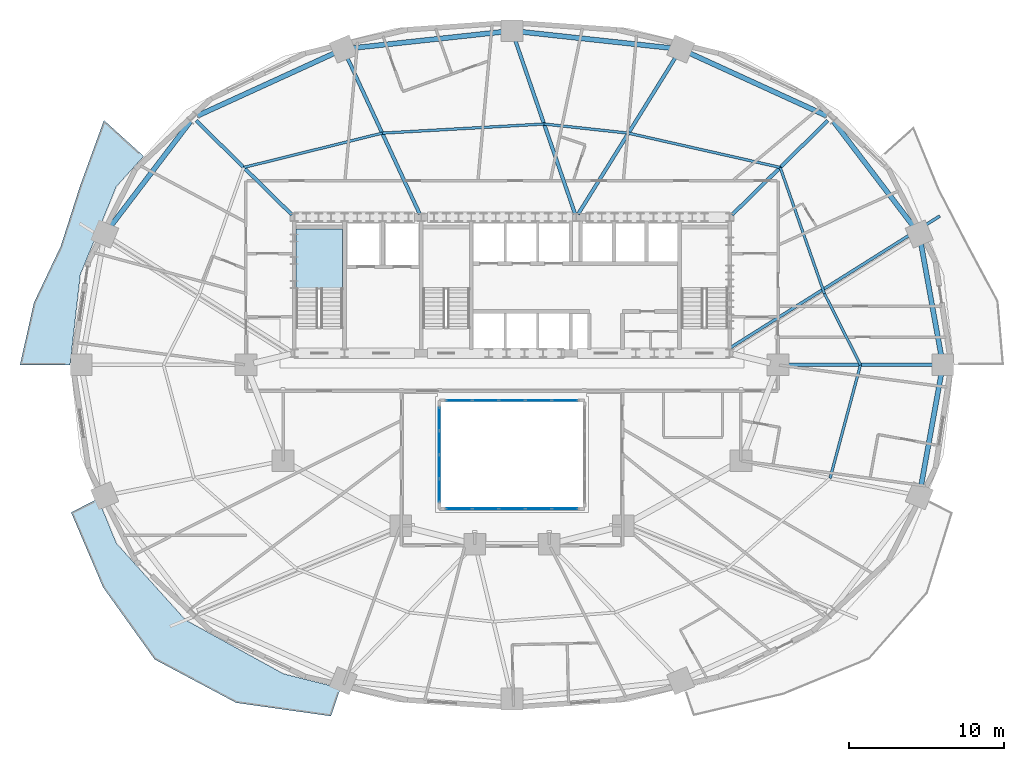
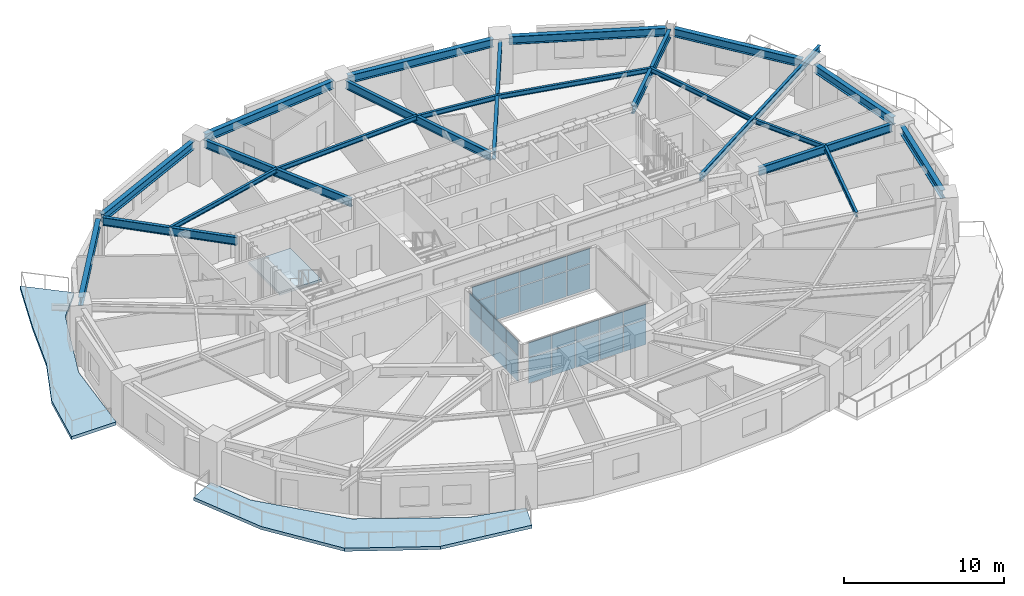
# One storey, part 6 of 15: 28 plates, 22 beams, 3 slabs, 4 elements without a shape of their own.
"""IFC4 building model written with IfcOpenShell, lengths in metres."""

from ifc_helpers import new_model, si_unit, direction, frame, origin, origin_2d, place, context, subcontext, project, spatial, polyline, rectangle, i_section, outline, extrude, material, layer, layer_set, material_profile, profile_set, type_object, element, aggregate, save


model = new_model("IFC4")

# Units and contexts
model_context = context("Model", 3, precision=1e-05, world=origin(), true_north=direction((0.0, 1.0)))
body_context = subcontext(model_context, "Body", "Model", "MODEL_VIEW")
ifc_project = project(units=[si_unit("LENGTHUNIT", "METRE"), si_unit("AREAUNIT", "SQUARE_METRE"), si_unit("VOLUMEUNIT", "CUBIC_METRE"), si_unit("PLANEANGLEUNIT", "RADIAN"), si_unit("MASSUNIT", "GRAM", prefix="KILO")], contexts=[model_context])

# Site, building, storey
site_placement = place(None, origin())
site = spatial("IfcSite", under=ifc_project, at=site_placement, CompositionType="ELEMENT")
building_placement = place(site_placement, origin())
building = spatial("IfcBuilding", under=site, at=building_placement, Name="Haldorwick Loom Tower", CompositionType="ELEMENT")
storey_placement = place(building_placement, frame((0.0, 0.0, 81.800048828125)))
storey = spatial("IfcBuildingStorey", under=building, at=storey_placement, Name="L21", CompositionType="ELEMENT", Elevation=81.800048828125)

# Beams
ifc_material_1 = material(Name="Steel CSA G40.21 350W", Category="steel")
ifc_material_profile_1 = material_profile(ifc_material_1, i_section(OverallWidth=0.193115234375, OverallDepth=0.466064453125, WebThickness=0.011474609375, FlangeThickness=0.01904296875, at=origin_2d()), Name="W460X97", Category="steel")
ifc_profile_set_1 = profile_set([ifc_material_profile_1], Name="Steel CSA G40.21 350W")
beam_type_1 = type_object("IfcBeamType", Name="STR-BM-BAL460", PredefinedType="BEAM", material=ifc_profile_set_1)
beam_1_placement = place(storey_placement, frame((50.111572265625, 27.106689453125, 2.97705078125), z_axis=(0.846609845451, 0.532214026108, 0.0), x_axis=(-0.532214026108, 0.846609845451, 0.0)))
element("IfcBeam", 1, at=beam_1_placement, inside=storey, type_object=beam_type_1, Name="L21 Continuous Back-Spanned Balcony Beam 4", PredefinedType="BEAM", context=body_context, shape_type="SweptSolid", body=[
    extrude(i_section(OverallWidth=0.193115234375, OverallDepth=0.466064453125, WebThickness=0.011474609375, FlangeThickness=0.01904296875, at=origin_2d()), origin(), (0.0, 0.0, 1.0), 16.0068359375),
])
ifc_material_profile_2 = material_profile(ifc_material_1, i_section(OverallWidth=0.172119140625, OverallDepth=0.35791015625, WebThickness=0.0078125, FlangeThickness=0.01318359375, at=origin_2d()), Name="W360X57", Category="steel")
ifc_profile_set_2 = profile_set([ifc_material_profile_2], Name="Steel CSA G40.21 350W")
beam_type_2 = type_object("IfcBeamType", Name="STR-BM-J360", PredefinedType="JOIST", material=ifc_profile_set_2)
beam_2_placement = place(storey_placement, frame((58.52880859375, 26.0, 3.031005859375), z_axis=(-0.451373231558, 0.892335254169, 0.0), x_axis=(-0.892335254169, -0.451373231558, 0.0)))
element("IfcBeam", 2, at=beam_2_placement, inside=storey, type_object=beam_type_2, Name="L21 Mid-Bay Secondary Joist 1", PredefinedType="JOIST", context=body_context, shape_type="SweptSolid", body=[
    extrude(i_section(OverallWidth=0.172119140625, OverallDepth=0.35791015625, WebThickness=0.0078125, FlangeThickness=0.01318359375, at=origin_2d()), origin(), (0.0, 0.0, 1.0), 5.158935546875),
])
beam_3_placement = place(storey_placement, frame((56.2001953125, 30.603515625, 3.031005859375), z_axis=(-0.330864603503, 0.943678236556, 0.0), x_axis=(-0.943678236556, -0.330864603503, 0.0)))
element("IfcBeam", 3, at=beam_3_placement, inside=storey, type_object=beam_type_2, Name="L21 Mid-Bay Secondary Joist 2", PredefinedType="JOIST", context=body_context, shape_type="SweptSolid", body=[
    extrude(i_section(OverallWidth=0.172119140625, OverallDepth=0.35791015625, WebThickness=0.0078125, FlangeThickness=0.01318359375, at=origin_2d()), origin(), (0.0, 0.0, 1.0), 8.6494140625),
])
beam_4_placement = place(storey_placement, frame((53.33837890625, 38.765869140625, 3.031005859375), z_axis=(-0.975380231772, 0.22052982444, 0.0), x_axis=(-0.22052982444, -0.975380231772, 0.0)))
element("IfcBeam", 4, at=beam_4_placement, inside=storey, type_object=beam_type_2, Name="L21 Mid-Bay Secondary Joist 3", PredefinedType="JOIST", context=body_context, shape_type="SweptSolid", body=[
    extrude(i_section(OverallWidth=0.172119140625, OverallDepth=0.35791015625, WebThickness=0.0078125, FlangeThickness=0.01318359375, at=origin_2d()), origin(), (0.0, 0.0, 1.0), 10.0576171875),
])
beam_5_placement = place(storey_placement, frame((43.5283203125, 40.98388671875, 3.031005859375), z_axis=(-0.994191869342, 0.107622148904, 0.0), x_axis=(-0.107622148904, -0.994191869342, 0.0)))
element("IfcBeam", 5, at=beam_5_placement, inside=storey, type_object=beam_type_2, Name="L21 Mid-Bay Secondary Joist 4", PredefinedType="JOIST", context=body_context, shape_type="SweptSolid", body=[
    extrude(i_section(OverallWidth=0.172119140625, OverallDepth=0.35791015625, WebThickness=0.0078125, FlangeThickness=0.01318359375, at=origin_2d()), origin(), (0.0, 0.0, 1.0), 5.485107421875),
])
beam_6_placement = place(storey_placement, frame((38.074951171875, 41.57421875, 3.031005859375), z_axis=(-0.998412171013, -0.056330602457, 0.0), x_axis=(0.056330602457, -0.998412171013, 0.0)))
element("IfcBeam", 6, at=beam_6_placement, inside=storey, type_object=beam_type_2, Name="L21 Mid-Bay Secondary Joist 5", PredefinedType="JOIST", context=body_context, shape_type="SweptSolid", body=[
    extrude(i_section(OverallWidth=0.172119140625, OverallDepth=0.35791015625, WebThickness=0.0078125, FlangeThickness=0.01318359375, at=origin_2d()), origin(), (0.0, 0.0, 1.0), 10.479736328125),
])
beam_7_placement = place(storey_placement, frame((27.61181640625, 40.98388671875, 3.031005859375), z_axis=(-0.970638838364, -0.240541567009, 0.0), x_axis=(0.240541567009, -0.970638838364, 0.0)))
element("IfcBeam", 7, at=beam_7_placement, inside=storey, type_object=beam_type_2, Name="L21 Mid-Bay Secondary Joist 6", PredefinedType="JOIST", context=body_context, shape_type="SweptSolid", body=[
    extrude(i_section(OverallWidth=0.172119140625, OverallDepth=0.35791015625, WebThickness=0.0078125, FlangeThickness=0.01318359375, at=origin_2d()), origin(), (0.0, 0.0, 1.0), 9.220947265625),
])
beam_8_placement = place(storey_placement, frame((56.565185546875, 18.67138671875, 3.031005859375), z_axis=(0.258810072536, 0.965928230436, 0.0), x_axis=(-0.965928230436, 0.258810072536, 0.0)))
element("IfcBeam", 8, at=beam_8_placement, inside=storey, type_object=beam_type_2, Name="L21 Mid-Bay Secondary Joist 16", PredefinedType="JOIST", context=body_context, shape_type="SweptSolid", body=[
    extrude(i_section(OverallWidth=0.172119140625, OverallDepth=0.35791015625, WebThickness=0.0078125, FlangeThickness=0.01318359375, at=origin_2d()), origin(), (0.0, 0.0, 1.0), 7.587158203125),
])
ifc_material_profile_3 = material_profile(ifc_material_1, i_section(OverallWidth=0.324951171875, OverallDepth=0.615966796875, WebThickness=0.013916015625, FlangeThickness=0.021484375, at=origin_2d()), Name="W610X174", Category="steel")
ifc_profile_set_3 = profile_set([ifc_material_profile_3], Name="Steel CSA G40.21 350W")
beam_type_3 = type_object("IfcBeamType", Name="STR-BM-SP610", PredefinedType="SPANDREL", material=ifc_profile_set_3)
beam_9_placement = place(storey_placement, frame((63.76513671875, 26.51171875, 2.90185546875), z_axis=(-0.177659490888, 0.984092020747, 0.0), x_axis=(-0.984092020747, -0.177659490888, 0.0)))
element("IfcBeam", 9, at=beam_9_placement, inside=storey, type_object=beam_type_3, Name="L21 Perimeter Spandrel 1", PredefinedType="SPANDREL", context=body_context, shape_type="SweptSolid", body=[
    extrude(i_section(OverallWidth=0.324951171875, OverallDepth=0.615966796875, WebThickness=0.013916015625, FlangeThickness=0.021484375, at=origin_2d()), origin(), (0.0, 0.0, 1.0), 7.553955078125),
])
beam_10_placement = place(storey_placement, frame((62.015869140625, 34.87109375, 2.90185546875), z_axis=(-0.605453508047, 0.795880675475, 0.0), x_axis=(-0.795880675475, -0.605453508047, 0.0)))
element("IfcBeam", 10, at=beam_10_placement, inside=storey, type_object=beam_type_3, Name="L21 Perimeter Spandrel 2", PredefinedType="SPANDREL", context=body_context, shape_type="SweptSolid", body=[
    extrude(i_section(OverallWidth=0.324951171875, OverallDepth=0.615966796875, WebThickness=0.013916015625, FlangeThickness=0.021484375, at=origin_2d()), origin(), (0.0, 0.0, 1.0), 8.6591796875),
])
beam_11_placement = place(storey_placement, frame((56.356689453125, 42.09619140625, 2.90185546875), z_axis=(-0.909423969306, 0.415870225011, 0.0), x_axis=(-0.415870225011, -0.909423969306, 0.0)))
element("IfcBeam", 11, at=beam_11_placement, inside=storey, type_object=beam_type_3, Name="L21 Perimeter Spandrel 3", PredefinedType="SPANDREL", context=body_context, shape_type="SweptSolid", body=[
    extrude(i_section(OverallWidth=0.324951171875, OverallDepth=0.615966796875, WebThickness=0.013916015625, FlangeThickness=0.021484375, at=origin_2d()), origin(), (0.0, 0.0, 1.0), 9.871337890625),
])
for number, where, z_axis, x_axis, name in (
    (12, (46.389404296875, 46.4736328125, 2.90185546875), (-0.994190135627, 0.107638163409, 0.0), (-0.107638163409, -0.994190135627, 0.0), "L21 Perimeter Spandrel 4"),
    (13, (35.48291015625, 47.54248046875, 2.90185546875), (-0.994190135627, -0.107638163409, 0.0), (0.107638163409, -0.994190135627, 0.0), "L21 Perimeter Spandrel 5"),
):
    element("IfcBeam", number, at=place(storey_placement, frame(where, z_axis=z_axis, x_axis=x_axis)), inside=storey, type_object=beam_type_3, Name=name, PredefinedType="SPANDREL", context=body_context, shape_type="SweptSolid", body=[
        extrude(i_section(OverallWidth=0.324951171875, OverallDepth=0.615966796875, WebThickness=0.013916015625, FlangeThickness=0.021484375, at=origin_2d()), origin(), (0.0, 0.0, 1.0), 9.929931640625),
    ])
beam_12_placement = place(storey_placement, frame((24.62060546875, 46.201416015625, 2.90185546875), z_axis=(-0.909423969306, -0.415870225011, 0.0), x_axis=(0.415870225011, -0.909423969306, 0.0)))
element("IfcBeam", 14, at=beam_12_placement, inside=storey, type_object=beam_type_3, Name="L21 Perimeter Spandrel 6", PredefinedType="SPANDREL", context=body_context, shape_type="SweptSolid", body=[
    extrude(i_section(OverallWidth=0.324951171875, OverallDepth=0.615966796875, WebThickness=0.013916015625, FlangeThickness=0.021484375, at=origin_2d()), origin(), (0.0, 0.0, 1.0), 9.871337890625),
])
beam_13_placement = place(storey_placement, frame((15.226806640625, 41.7626953125, 2.90185546875), z_axis=(-0.605453508047, -0.795880675475, 0.0), x_axis=(0.795880675475, -0.605453508047, 0.0)))
element("IfcBeam", 15, at=beam_13_placement, inside=storey, type_object=beam_type_3, Name="L21 Perimeter Spandrel 7", PredefinedType="SPANDREL", context=body_context, shape_type="SweptSolid", body=[
    extrude(i_section(OverallWidth=0.324951171875, OverallDepth=0.615966796875, WebThickness=0.013916015625, FlangeThickness=0.021484375, at=origin_2d()), origin(), (0.0, 0.0, 1.0), 8.6591796875),
])
beam_14_placement = place(storey_placement, frame((62.423095703125, 18.054443359375, 2.90185546875), z_axis=(0.177659490888, 0.984092020747, 0.0), x_axis=(-0.984092020747, 0.177659490888, 0.0)))
element("IfcBeam", 16, at=beam_14_placement, inside=storey, type_object=beam_type_3, Name="L21 Perimeter Spandrel 16", PredefinedType="SPANDREL", context=body_context, shape_type="SweptSolid", body=[
    extrude(i_section(OverallWidth=0.324951171875, OverallDepth=0.615966796875, WebThickness=0.013916015625, FlangeThickness=0.021484375, at=origin_2d()), origin(), (0.0, 0.0, 1.0), 7.553955078125),
])
ifc_material_profile_4 = material_profile(ifc_material_1, i_section(OverallWidth=0.22998046875, OverallDepth=0.616943359375, WebThickness=0.01318359375, FlangeThickness=0.022216796875, at=origin_2d()), Name="W610X140", Category="steel")
ifc_profile_set_4 = profile_set([ifc_material_profile_4], Name="Steel CSA G40.21 350W")
beam_type_4 = type_object("IfcBeamType", Name="STR-BM-W610B", PredefinedType="BEAM", material=ifc_profile_set_4)
beam_15_placement = place(storey_placement, frame((53.719970703125, 26.0, 2.9013671875), z_axis=(1.0, 0.0, 0.0), x_axis=(0.0, 1.0, 0.0)))
element("IfcBeam", 17, at=beam_15_placement, inside=storey, type_object=beam_type_4, Name="L21 Radial Floor Girder 1", PredefinedType="BEAM", context=body_context, shape_type="SweptSolid", body=[
    extrude(i_section(OverallWidth=0.22998046875, OverallDepth=0.616943359375, WebThickness=0.01318359375, FlangeThickness=0.022216796875, at=origin_2d()), origin(), (0.0, 0.0, 1.0), 9.61767578125),
])
beam_16_placement = place(storey_placement, frame((50.23046875, 35.707763671875, 2.9013671875), z_axis=(0.712813667541, 0.701353459653, 0.0), x_axis=(-0.701353459653, 0.712813667541, 0.0)))
element("IfcBeam", 18, at=beam_16_placement, inside=storey, type_object=beam_type_4, Name="L21 Radial Floor Girder 3", PredefinedType="BEAM", context=body_context, shape_type="SweptSolid", body=[
    extrude(i_section(OverallWidth=0.22998046875, OverallDepth=0.616943359375, WebThickness=0.01318359375, FlangeThickness=0.022216796875, at=origin_2d()), origin(), (0.0, 0.0, 1.0), 8.67041015625),
])
beam_17_placement = place(storey_placement, frame((40.268798828125, 35.7412109375, 2.9013671875), z_axis=(0.527983484361, 0.849254638046, 0.0), x_axis=(-0.849254638046, 0.527983484361, 0.0)))
element("IfcBeam", 19, at=beam_17_placement, inside=storey, type_object=beam_type_4, Name="L21 Radial Floor Girder 4", PredefinedType="BEAM", context=body_context, shape_type="SweptSolid", body=[
    extrude(i_section(OverallWidth=0.22998046875, OverallDepth=0.616943359375, WebThickness=0.01318359375, FlangeThickness=0.022216796875, at=origin_2d()), origin(), (0.0, 0.0, 1.0), 12.051513671875),
])
beam_18_placement = place(storey_placement, frame((40.07666015625, 35.7626953125, 2.9013671875), z_axis=(-0.325673980289, 0.945482130218, 0.0), x_axis=(-0.945482130218, -0.325673980289, 0.0)))
element("IfcBeam", 20, at=beam_18_placement, inside=storey, type_object=beam_type_4, Name="L21 Radial Floor Girder 5", PredefinedType="BEAM", context=body_context, shape_type="SweptSolid", body=[
    extrude(i_section(OverallWidth=0.22998046875, OverallDepth=0.616943359375, WebThickness=0.01318359375, FlangeThickness=0.022216796875, at=origin_2d()), origin(), (0.0, 0.0, 1.0), 11.998046875),
])
beam_19_placement = place(storey_placement, frame((30.035400390625, 35.754150390625, 2.9013671875), z_axis=(-0.420492432459, 0.907296045536, 0.0), x_axis=(-0.907296045536, -0.420492432459, 0.0)))
element("IfcBeam", 21, at=beam_19_placement, inside=storey, type_object=beam_type_4, Name="L21 Radial Floor Girder 6", PredefinedType="BEAM", context=body_context, shape_type="SweptSolid", body=[
    extrude(i_section(OverallWidth=0.22998046875, OverallDepth=0.616943359375, WebThickness=0.01318359375, FlangeThickness=0.022216796875, at=origin_2d()), origin(), (0.0, 0.0, 1.0), 11.23291015625),
])
beam_20_placement = place(storey_placement, frame((21.76953125, 35.707763671875, 2.9013671875), z_axis=(-0.712813667541, 0.701353459653, 0.0), x_axis=(-0.701353459653, -0.712813667541, 0.0)))
element("IfcBeam", 22, at=beam_20_placement, inside=storey, type_object=beam_type_4, Name="L21 Radial Floor Girder 7", PredefinedType="BEAM", context=body_context, shape_type="SweptSolid", body=[
    extrude(i_section(OverallWidth=0.22998046875, OverallDepth=0.616943359375, WebThickness=0.01318359375, FlangeThickness=0.022216796875, at=origin_2d()), origin(), (0.0, 0.0, 1.0), 8.67041015625),
])

# Curtain wall, plates
ifc_material_2 = material(Name="Thermally Broken Anodized Aluminium Curtain Wall Framing", Category="aluminium")
curtain_wall_type = type_object("IfcCurtainWallType", Name="ARC-CW-03", PredefinedType="NOTDEFINED", material=ifc_material_2)
curtain_wall_1_placement = place(storey_placement, origin())
curtain_wall_1 = element("IfcCurtainWall", 23, at=curtain_wall_1_placement, inside=storey, type_object=curtain_wall_type, Name="L21 Atrium Glazed Screen S", PredefinedType="NOTDEFINED")
ifc_material_3 = material(Name="Triple-Glazed Low-E Argon Insulated Glazing Unit", Category="glass")
ifc_layer_1 = layer(ifc_material_3, 0.04296875, Name="Triple-Glazed Low-E Argon Insulated Glazing Unit", Category="glass")
ifc_layer_set_1 = layer_set([ifc_layer_1], Name="Triple-Glazed Low-E Argon Insulated Glazing Unit")
plate_type = type_object("IfcPlateType", Name="ARC-CWP-03", PredefinedType="CURTAIN_PANEL", material=ifc_layer_set_1)
plate_1_placement = place(storey_placement, frame((39.423583984375, 16.699951171875, 0.06591796875), z_axis=(0.0, 0.0, 1.0), x_axis=(-1.0, 0.0, 0.0)))
plate_1 = element("IfcPlate", 24, at=plate_1_placement, type_object=plate_type, Name="CW-03 panel 1.1", PredefinedType="CURTAIN_PANEL", context=body_context, shape_type="SweptSolid", body=[
    extrude(rectangle(XDim=1.62109375, YDim=0.04296875, at=origin_2d()), origin(), (0.0, 0.0, 1.0), 1.90087890625),
])
plate_2_placement = place(storey_placement, frame((39.423583984375, 16.699951171875, 2.03271484375), z_axis=(0.0, 0.0, 1.0), x_axis=(-1.0, 0.0, 0.0)))
plate_2 = element("IfcPlate", 25, at=plate_2_placement, type_object=plate_type, Name="CW-03 panel 1.2", PredefinedType="CURTAIN_PANEL", context=body_context, shape_type="SweptSolid", body=[
    extrude(rectangle(XDim=1.62109375, YDim=0.04296875, at=origin_2d()), origin(), (0.0, 0.0, 1.0), 1.111083984375),
])
plate_3_placement = place(storey_placement, frame((37.719970703125, 16.699951171875, 0.06591796875), z_axis=(0.0, 0.0, 1.0), x_axis=(-1.0, 0.0, 0.0)))
plate_3 = element("IfcPlate", 26, at=plate_3_placement, type_object=plate_type, Name="CW-03 panel 2.1", PredefinedType="CURTAIN_PANEL", context=body_context, shape_type="SweptSolid", body=[
    extrude(rectangle(XDim=1.654052734375, YDim=0.04296875, at=origin_2d()), origin(), (0.0, 0.0, 1.0), 1.90087890625),
])
plate_4_placement = place(storey_placement, frame((37.719970703125, 16.699951171875, 2.03271484375), z_axis=(0.0, 0.0, 1.0), x_axis=(-1.0, 0.0, 0.0)))
plate_4 = element("IfcPlate", 27, at=plate_4_placement, type_object=plate_type, Name="CW-03 panel 2.2", PredefinedType="CURTAIN_PANEL", context=body_context, shape_type="SweptSolid", body=[
    extrude(rectangle(XDim=1.654052734375, YDim=0.04296875, at=origin_2d()), origin(), (0.0, 0.0, 1.0), 1.111083984375),
])
plate_5_placement = place(storey_placement, frame((36.0, 16.699951171875, 0.06591796875), z_axis=(0.0, 0.0, 1.0), x_axis=(-1.0, 0.0, 0.0)))
plate_5 = element("IfcPlate", 28, at=plate_5_placement, type_object=plate_type, Name="CW-03 panel 3.1", PredefinedType="CURTAIN_PANEL", context=body_context, shape_type="SweptSolid", body=[
    extrude(rectangle(XDim=1.654052734375, YDim=0.04296875, at=origin_2d()), origin(), (0.0, 0.0, 1.0), 1.90087890625),
])
plate_6_placement = place(storey_placement, frame((36.0, 16.699951171875, 2.03271484375), z_axis=(0.0, 0.0, 1.0), x_axis=(-1.0, 0.0, 0.0)))
plate_6 = element("IfcPlate", 29, at=plate_6_placement, type_object=plate_type, Name="CW-03 panel 3.2", PredefinedType="CURTAIN_PANEL", context=body_context, shape_type="SweptSolid", body=[
    extrude(rectangle(XDim=1.654052734375, YDim=0.04296875, at=origin_2d()), origin(), (0.0, 0.0, 1.0), 1.111083984375),
])
plate_7_placement = place(storey_placement, frame((34.280029296875, 16.699951171875, 0.06591796875), z_axis=(0.0, 0.0, 1.0), x_axis=(-1.0, 0.0, 0.0)))
plate_7 = element("IfcPlate", 30, at=plate_7_placement, type_object=plate_type, Name="CW-03 panel 4.1", PredefinedType="CURTAIN_PANEL", context=body_context, shape_type="SweptSolid", body=[
    extrude(rectangle(XDim=1.654052734375, YDim=0.04296875, at=origin_2d()), origin(), (0.0, 0.0, 1.0), 1.90087890625),
])
plate_8_placement = place(storey_placement, frame((34.280029296875, 16.699951171875, 2.03271484375), z_axis=(0.0, 0.0, 1.0), x_axis=(-1.0, 0.0, 0.0)))
plate_8 = element("IfcPlate", 31, at=plate_8_placement, type_object=plate_type, Name="CW-03 panel 4.2", PredefinedType="CURTAIN_PANEL", context=body_context, shape_type="SweptSolid", body=[
    extrude(rectangle(XDim=1.654052734375, YDim=0.04296875, at=origin_2d()), origin(), (0.0, 0.0, 1.0), 1.111083984375),
])
plate_9_placement = place(storey_placement, frame((32.576416015625, 16.699951171875, 0.06591796875), z_axis=(0.0, 0.0, 1.0), x_axis=(-1.0, 0.0, 0.0)))
plate_9 = element("IfcPlate", 32, at=plate_9_placement, type_object=plate_type, Name="CW-03 panel 5.1", PredefinedType="CURTAIN_PANEL", context=body_context, shape_type="SweptSolid", body=[
    extrude(rectangle(XDim=1.62109375, YDim=0.04296875, at=origin_2d()), origin(), (0.0, 0.0, 1.0), 1.90087890625),
])
plate_10_placement = place(storey_placement, frame((32.576416015625, 16.699951171875, 2.03271484375), z_axis=(0.0, 0.0, 1.0), x_axis=(-1.0, 0.0, 0.0)))
plate_10 = element("IfcPlate", 33, at=plate_10_placement, type_object=plate_type, Name="CW-03 panel 5.2", PredefinedType="CURTAIN_PANEL", context=body_context, shape_type="SweptSolid", body=[
    extrude(rectangle(XDim=1.62109375, YDim=0.04296875, at=origin_2d()), origin(), (0.0, 0.0, 1.0), 1.111083984375),
])
aggregate(curtain_wall_1, [plate_1, plate_2, plate_3, plate_4, plate_5, plate_6, plate_7, plate_8, plate_9, plate_10])

curtain_wall_2_placement = place(storey_placement, origin())
curtain_wall_2 = element("IfcCurtainWall", 34, at=curtain_wall_2_placement, inside=storey, type_object=curtain_wall_type, Name="L21 Atrium Glazed Screen N", PredefinedType="NOTDEFINED")
plate_11_placement = place(storey_placement, frame((32.576416015625, 23.699951171875, 0.06591796875), z_axis=(0.0, 0.0, 1.0), x_axis=(1.0, 0.0, 0.0)))
plate_11 = element("IfcPlate", 35, at=plate_11_placement, type_object=plate_type, Name="CW-03 panel 1.1", PredefinedType="CURTAIN_PANEL", context=body_context, shape_type="SweptSolid", body=[
    extrude(rectangle(XDim=1.62109375, YDim=0.04296875, at=origin_2d()), origin(), (0.0, 0.0, 1.0), 1.90087890625),
])
plate_12_placement = place(storey_placement, frame((32.576416015625, 23.699951171875, 2.03271484375), z_axis=(0.0, 0.0, 1.0), x_axis=(1.0, 0.0, 0.0)))
plate_12 = element("IfcPlate", 36, at=plate_12_placement, type_object=plate_type, Name="CW-03 panel 1.2", PredefinedType="CURTAIN_PANEL", context=body_context, shape_type="SweptSolid", body=[
    extrude(rectangle(XDim=1.62109375, YDim=0.04296875, at=origin_2d()), origin(), (0.0, 0.0, 1.0), 1.111083984375),
])
plate_13_placement = place(storey_placement, frame((34.280029296875, 23.699951171875, 0.06591796875), z_axis=(0.0, 0.0, 1.0), x_axis=(1.0, 0.0, 0.0)))
plate_13 = element("IfcPlate", 37, at=plate_13_placement, type_object=plate_type, Name="CW-03 panel 2.1", PredefinedType="CURTAIN_PANEL", context=body_context, shape_type="SweptSolid", body=[
    extrude(rectangle(XDim=1.654052734375, YDim=0.04296875, at=origin_2d()), origin(), (0.0, 0.0, 1.0), 1.90087890625),
])
plate_14_placement = place(storey_placement, frame((34.280029296875, 23.699951171875, 2.03271484375), z_axis=(0.0, 0.0, 1.0), x_axis=(1.0, 0.0, 0.0)))
plate_14 = element("IfcPlate", 38, at=plate_14_placement, type_object=plate_type, Name="CW-03 panel 2.2", PredefinedType="CURTAIN_PANEL", context=body_context, shape_type="SweptSolid", body=[
    extrude(rectangle(XDim=1.654052734375, YDim=0.04296875, at=origin_2d()), origin(), (0.0, 0.0, 1.0), 1.111083984375),
])
plate_15_placement = place(storey_placement, frame((36.0, 23.699951171875, 0.06591796875), z_axis=(0.0, 0.0, 1.0), x_axis=(1.0, 0.0, 0.0)))
plate_15 = element("IfcPlate", 39, at=plate_15_placement, type_object=plate_type, Name="CW-03 panel 3.1", PredefinedType="CURTAIN_PANEL", context=body_context, shape_type="SweptSolid", body=[
    extrude(rectangle(XDim=1.654052734375, YDim=0.04296875, at=origin_2d()), origin(), (0.0, 0.0, 1.0), 1.90087890625),
])
plate_16_placement = place(storey_placement, frame((36.0, 23.699951171875, 2.03271484375), z_axis=(0.0, 0.0, 1.0), x_axis=(1.0, 0.0, 0.0)))
plate_16 = element("IfcPlate", 40, at=plate_16_placement, type_object=plate_type, Name="CW-03 panel 3.2", PredefinedType="CURTAIN_PANEL", context=body_context, shape_type="SweptSolid", body=[
    extrude(rectangle(XDim=1.654052734375, YDim=0.04296875, at=origin_2d()), origin(), (0.0, 0.0, 1.0), 1.111083984375),
])
plate_17_placement = place(storey_placement, frame((37.719970703125, 23.699951171875, 0.06591796875), z_axis=(0.0, 0.0, 1.0), x_axis=(1.0, 0.0, 0.0)))
plate_17 = element("IfcPlate", 41, at=plate_17_placement, type_object=plate_type, Name="CW-03 panel 4.1", PredefinedType="CURTAIN_PANEL", context=body_context, shape_type="SweptSolid", body=[
    extrude(rectangle(XDim=1.654052734375, YDim=0.04296875, at=origin_2d()), origin(), (0.0, 0.0, 1.0), 1.90087890625),
])
plate_18_placement = place(storey_placement, frame((37.719970703125, 23.699951171875, 2.03271484375), z_axis=(0.0, 0.0, 1.0), x_axis=(1.0, 0.0, 0.0)))
plate_18 = element("IfcPlate", 42, at=plate_18_placement, type_object=plate_type, Name="CW-03 panel 4.2", PredefinedType="CURTAIN_PANEL", context=body_context, shape_type="SweptSolid", body=[
    extrude(rectangle(XDim=1.654052734375, YDim=0.04296875, at=origin_2d()), origin(), (0.0, 0.0, 1.0), 1.111083984375),
])
plate_19_placement = place(storey_placement, frame((39.423583984375, 23.699951171875, 0.06591796875), z_axis=(0.0, 0.0, 1.0), x_axis=(1.0, 0.0, 0.0)))
plate_19 = element("IfcPlate", 43, at=plate_19_placement, type_object=plate_type, Name="CW-03 panel 5.1", PredefinedType="CURTAIN_PANEL", context=body_context, shape_type="SweptSolid", body=[
    extrude(rectangle(XDim=1.62109375, YDim=0.04296875, at=origin_2d()), origin(), (0.0, 0.0, 1.0), 1.90087890625),
])
plate_20_placement = place(storey_placement, frame((39.423583984375, 23.699951171875, 2.03271484375), z_axis=(0.0, 0.0, 1.0), x_axis=(1.0, 0.0, 0.0)))
plate_20 = element("IfcPlate", 44, at=plate_20_placement, type_object=plate_type, Name="CW-03 panel 5.2", PredefinedType="CURTAIN_PANEL", context=body_context, shape_type="SweptSolid", body=[
    extrude(rectangle(XDim=1.62109375, YDim=0.04296875, at=origin_2d()), origin(), (0.0, 0.0, 1.0), 1.111083984375),
])
aggregate(curtain_wall_2, [plate_11, plate_12, plate_13, plate_14, plate_15, plate_16, plate_17, plate_18, plate_19, plate_20])

curtain_wall_3_placement = place(storey_placement, origin())
curtain_wall_3 = element("IfcCurtainWall", 45, at=curtain_wall_3_placement, inside=storey, type_object=curtain_wall_type, Name="L21 Atrium Glazed Screen W", PredefinedType="NOTDEFINED")
plate_21_placement = place(storey_placement, frame((31.300048828125, 17.8916015625, 0.06591796875), z_axis=(0.0, 0.0, 1.0), x_axis=(0.0, 1.0, 0.0)))
plate_21 = element("IfcPlate", 46, at=plate_21_placement, type_object=plate_type, Name="CW-03 panel 1.1", PredefinedType="CURTAIN_PANEL", context=body_context, shape_type="SweptSolid", body=[
    extrude(rectangle(XDim=1.450927734375, YDim=0.04296875, at=origin_2d()), origin(), (0.0, 0.0, 1.0), 1.90087890625),
])
plate_22_placement = place(storey_placement, frame((31.300048828125, 17.8916015625, 2.03271484375), z_axis=(0.0, 0.0, 1.0), x_axis=(0.0, 1.0, 0.0)))
plate_22 = element("IfcPlate", 47, at=plate_22_placement, type_object=plate_type, Name="CW-03 panel 1.2", PredefinedType="CURTAIN_PANEL", context=body_context, shape_type="SweptSolid", body=[
    extrude(rectangle(XDim=1.450927734375, YDim=0.04296875, at=origin_2d()), origin(), (0.0, 0.0, 1.0), 1.111083984375),
])
plate_23_placement = place(storey_placement, frame((31.300048828125, 19.425048828125, 0.06591796875), z_axis=(0.0, 0.0, 1.0), x_axis=(0.0, 1.0, 0.0)))
plate_23 = element("IfcPlate", 48, at=plate_23_placement, type_object=plate_type, Name="CW-03 panel 2.1", PredefinedType="CURTAIN_PANEL", context=body_context, shape_type="SweptSolid", body=[
    extrude(rectangle(XDim=1.48388671875, YDim=0.04296875, at=origin_2d()), origin(), (0.0, 0.0, 1.0), 1.90087890625),
])
plate_24_placement = place(storey_placement, frame((31.300048828125, 19.425048828125, 2.03271484375), z_axis=(0.0, 0.0, 1.0), x_axis=(0.0, 1.0, 0.0)))
plate_24 = element("IfcPlate", 49, at=plate_24_placement, type_object=plate_type, Name="CW-03 panel 2.2", PredefinedType="CURTAIN_PANEL", context=body_context, shape_type="SweptSolid", body=[
    extrude(rectangle(XDim=1.48388671875, YDim=0.04296875, at=origin_2d()), origin(), (0.0, 0.0, 1.0), 1.111083984375),
])
plate_25_placement = place(storey_placement, frame((31.300048828125, 20.97509765625, 0.06591796875), z_axis=(0.0, 0.0, 1.0), x_axis=(0.0, 1.0, 0.0)))
plate_25 = element("IfcPlate", 50, at=plate_25_placement, type_object=plate_type, Name="CW-03 panel 3.1", PredefinedType="CURTAIN_PANEL", context=body_context, shape_type="SweptSolid", body=[
    extrude(rectangle(XDim=1.48388671875, YDim=0.04296875, at=origin_2d()), origin(), (0.0, 0.0, 1.0), 1.90087890625),
])
plate_26_placement = place(storey_placement, frame((31.300048828125, 20.97509765625, 2.03271484375), z_axis=(0.0, 0.0, 1.0), x_axis=(0.0, 1.0, 0.0)))
plate_26 = element("IfcPlate", 51, at=plate_26_placement, type_object=plate_type, Name="CW-03 panel 3.2", PredefinedType="CURTAIN_PANEL", context=body_context, shape_type="SweptSolid", body=[
    extrude(rectangle(XDim=1.48388671875, YDim=0.04296875, at=origin_2d()), origin(), (0.0, 0.0, 1.0), 1.111083984375),
])
plate_27_placement = place(storey_placement, frame((31.300048828125, 22.508544921875, 0.06591796875), z_axis=(0.0, 0.0, 1.0), x_axis=(0.0, 1.0, 0.0)))
plate_27 = element("IfcPlate", 52, at=plate_27_placement, type_object=plate_type, Name="CW-03 panel 4.1", PredefinedType="CURTAIN_PANEL", context=body_context, shape_type="SweptSolid", body=[
    extrude(rectangle(XDim=1.450927734375, YDim=0.04296875, at=origin_2d()), origin(), (0.0, 0.0, 1.0), 1.90087890625),
])
plate_28_placement = place(storey_placement, frame((31.300048828125, 22.508544921875, 2.03271484375), z_axis=(0.0, 0.0, 1.0), x_axis=(0.0, 1.0, 0.0)))
plate_28 = element("IfcPlate", 53, at=plate_28_placement, type_object=plate_type, Name="CW-03 panel 4.2", PredefinedType="CURTAIN_PANEL", context=body_context, shape_type="SweptSolid", body=[
    extrude(rectangle(XDim=1.450927734375, YDim=0.04296875, at=origin_2d()), origin(), (0.0, 0.0, 1.0), 1.111083984375),
])
aggregate(curtain_wall_3, [plate_21, plate_22, plate_23, plate_24, plate_25, plate_26, plate_27, plate_28])

# Slabs
ifc_material_4 = material(Name="Concrete C40 (40 MPa)", Category="concrete")
ifc_layer_2 = layer(ifc_material_4, 0.239990234375, Name="Concrete C40 (40 MPa)", Category="concrete")
ifc_layer_set_2 = layer_set([ifc_layer_2], Name="Concrete C40 (40 MPa)")
slab_type_1 = type_object("IfcSlabType", Name="STR-SLB-BAL240", PredefinedType="FLOOR", material=ifc_layer_set_2)
slab_1_placement = place(storey_placement, frame((0.0, 0.0, -0.239990234375)))
element("IfcSlab", 54, at=slab_1_placement, inside=storey, type_object=slab_type_1, Name="L21 Sinusoidal Balcony Terrace BAL_SW", PredefinedType="FLOOR", context=body_context, shape_type="SweptSolid", body=[
    extrude(outline(polyline([(24.912109375, 5.10546875), (21.23583984375, 6.022705078125), (21.234619140625, 6.023193359375), (21.2333984375, 6.023681640625), (21.232177734375, 6.0244140625), (14.89111328125, 9.51025390625), (14.8896484375, 9.510986328125), (14.88818359375, 9.51220703125), (14.88720703125, 9.51318359375), (10.4228515625, 14.464599609375), (10.421875, 14.465576171875), (10.421142578125, 14.466552734375), (10.420654296875, 14.4677734375), (10.419921875, 14.468994140625), (9.240966796875, 17.349609375), (7.49755859375, 16.4658203125), (9.568115234375, 11.616943359375), (12.898193359375, 6.961669921875), (18.172607421875, 4.155517578125), (24.294189453125, 3.292724609375), (24.912109375, 5.10546875)])), origin(), (0.0, 0.0, 1.0), 0.239990234375),
])
slab_2_placement = place(storey_placement, frame((0.0, 0.0, -0.239990234375)))
element("IfcSlab", 55, at=slab_2_placement, inside=storey, type_object=slab_type_1, Name="L21 Sinusoidal Balcony Terrace BAL_WNW", PredefinedType="FLOOR", context=body_context, shape_type="SweptSolid", body=[
    extrude(outline(polyline([(7.427490234375, 26.0), (7.427490234375, 26.001708984375), (8.09033203125, 31.837890625), (8.090576171875, 31.83935546875), (8.0908203125, 31.840576171875), (8.09130859375, 31.841796875), (10.419921875, 37.531005859375), (10.420654296875, 37.5322265625), (10.421142578125, 37.533447265625), (10.421875, 37.534423828125), (10.4228515625, 37.535400390625), (12.186767578125, 39.491943359375), (9.6220703125, 41.81201171875), (8.07080078125, 37.553466796875), (6.823974609375, 33.660888671875), (5.09521484375, 30.026123046875), (4.1923828125, 26.0), (7.427490234375, 26.0)])), origin(), (0.0, 0.0, 1.0), 0.239990234375),
])

# Stair, slab
stair_type = type_object("IfcStairType", Name="STR-STR-CORE", PredefinedType="HALF_TURN_STAIR", material=ifc_material_4)
stair_placement = place(storey_placement, origin())
stair = element("IfcStair", 56, at=stair_placement, inside=storey, type_object=stair_type, Name="L21 Exit Stair ST-01", PredefinedType="HALF_TURN_STAIR")
ifc_layer_3 = layer(ifc_material_4, 0.199951171875, Name="Concrete C40 (40 MPa)", Category="concrete")
ifc_layer_set_3 = layer_set([ifc_layer_3], Name="Concrete C40 (40 MPa)")
slab_type_2 = type_object("IfcSlabType", Name="STR-SLB-LAND200", PredefinedType="LANDING", material=ifc_layer_set_3)
slab_3_placement = place(storey_placement, frame((0.0, 0.0, 1.52490234375)))
slab_3 = element("IfcSlab", 57, at=slab_3_placement, type_object=slab_type_2, Name="ST-01 landing 1", PredefinedType="LANDING", context=body_context, shape_type="SweptSolid", body=[
    extrude(outline(polyline([(25.050048828125, 30.919921875), (25.050048828125, 34.800048828125), (22.050048828125, 34.800048828125), (22.050048828125, 30.919921875), (25.050048828125, 30.919921875)])), origin(), (0.0, 0.0, 1.0), 0.199951171875),
])
aggregate(stair, [slab_3])

save(model, "model.ifc")
